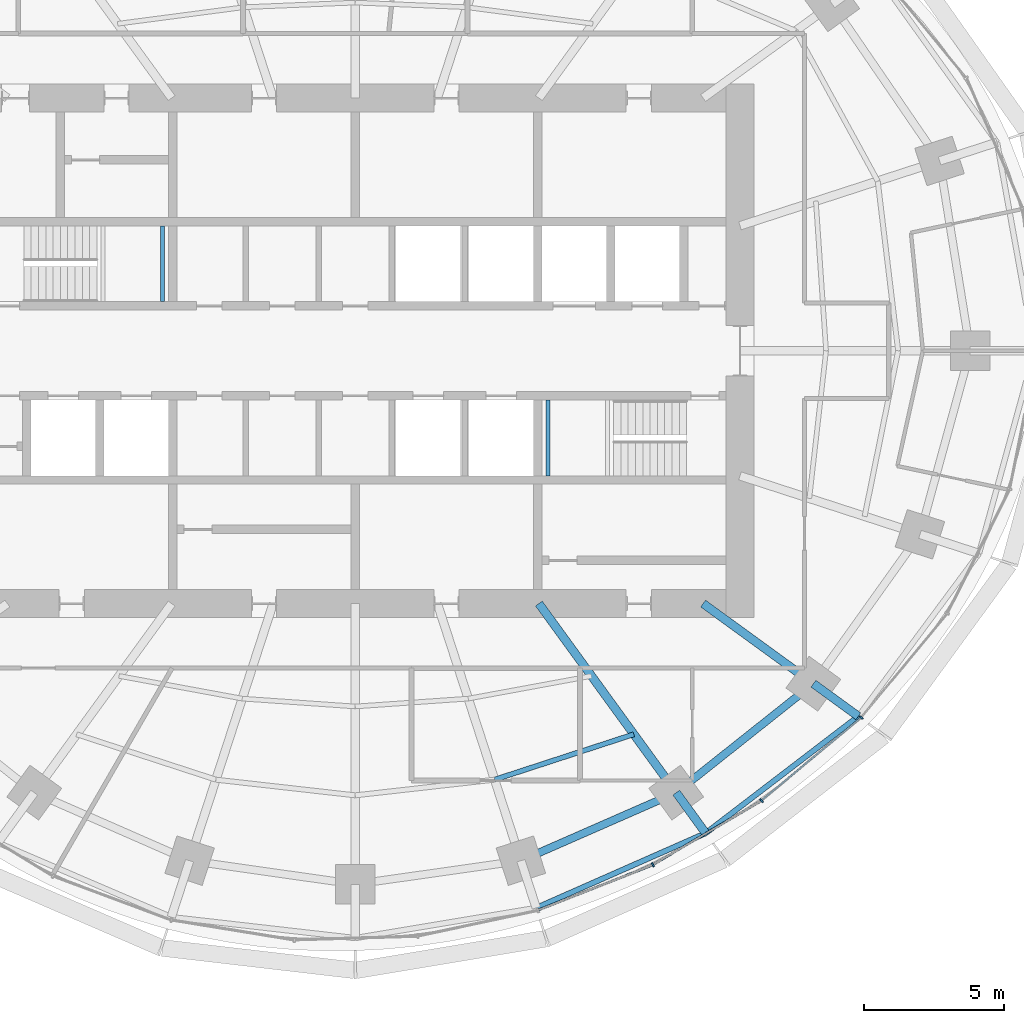
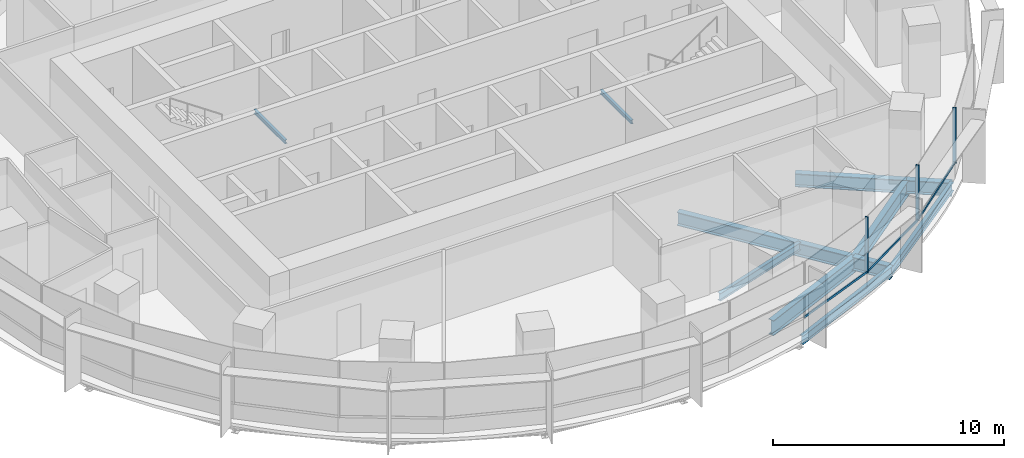
# One storey, part 5 of 14: 11 beams, 6 members, 2 elements without a shape of their own.
"""IFC4 building model written with IfcOpenShell, lengths in metres."""

from ifc_helpers import new_model, si_unit, direction, frame, origin, origin_2d, place, context, subcontext, project, spatial, rectangle, i_section, extrude, material, material_profile, profile_set, type_object, element, aggregate, save


model = new_model("IFC4")

# Units and contexts
model_context = context("Model", 3, precision=1e-05, world=origin(), true_north=direction((0.0, 1.0)))
body_context = subcontext(model_context, "Body", "Model", "MODEL_VIEW")
ifc_project = project(units=[si_unit("LENGTHUNIT", "METRE"), si_unit("AREAUNIT", "SQUARE_METRE"), si_unit("VOLUMEUNIT", "CUBIC_METRE"), si_unit("PLANEANGLEUNIT", "RADIAN"), si_unit("MASSUNIT", "GRAM", prefix="KILO")], contexts=[model_context])

# Site, building, storey
site_placement = place(None, origin())
site = spatial("IfcSite", under=ifc_project, at=site_placement, CompositionType="ELEMENT")
building_placement = place(site_placement, origin())
building = spatial("IfcBuilding", under=site, at=building_placement, Name="Marramba Exchange Tower", CompositionType="ELEMENT")
storey_placement = place(building_placement, frame((0.0, 0.0, 176.0)))
storey = spatial("IfcBuildingStorey", under=building, at=storey_placement, Name="L42", CompositionType="ELEMENT", Elevation=176.0)

# Beams
ifc_material_1 = material(Name="Steel AS/NZS 3679.2 grade 300", Category="steel")
ifc_material_profile_1 = material_profile(ifc_material_1, i_section(OverallWidth=0.300048828125, OverallDepth=0.699951171875, WebThickness=0.010009765625, FlangeThickness=0.031982421875, at=origin_2d()), Name="700WB173")
ifc_profile_set_1 = profile_set([ifc_material_profile_1], Name="Steel AS/NZS 3679.2 grade 300")
beam_type_1 = type_object("IfcBeamType", Name="Cantilever girder 700WB173", PredefinedType="BEAM", material=ifc_profile_set_1)
beam_1_placement = place(storey_placement, frame((11.430419921875, -15.732666015625, -0.510009765625), z_axis=(0.58783009415, -0.808984412959, 0.0), x_axis=(0.808984412959, 0.58783009415, 0.0)))
element("IfcBeam", 1, at=beam_1_placement, inside=storey, type_object=beam_type_1, Name="Cantilever girder L42 TC18", PredefinedType="BEAM", context=body_context, shape_type="SweptSolid", body=[
    extrude(i_section(OverallWidth=0.300048828125, OverallDepth=0.699951171875, WebThickness=0.010009765625, FlangeThickness=0.031982421875, at=origin_2d()), origin(), (0.0, 0.0, 1.0), 1.78515625),
])
beam_2_placement = place(storey_placement, frame((16.3154296875, -11.853759765625, -0.510009765625), z_axis=(0.808970801893, -0.587848825537, 0.0), x_axis=(0.587848825537, 0.808970801893, 0.0)))
element("IfcBeam", 2, at=beam_2_placement, inside=storey, type_object=beam_type_1, Name="Cantilever girder L42 TC19", PredefinedType="BEAM", context=body_context, shape_type="SweptSolid", body=[
    extrude(i_section(OverallWidth=0.300048828125, OverallDepth=0.699951171875, WebThickness=0.010009765625, FlangeThickness=0.031982421875, at=origin_2d()), origin(), (0.0, 0.0, 1.0), 1.978515625),
])
ifc_material_2 = material(Name="Steel AS/NZS 3679.1 grade 300", Category="steel")
ifc_material_profile_2 = material_profile(ifc_material_2, i_section(OverallWidth=0.177978515625, OverallDepth=0.406005859375, WebThickness=0.0078125, FlangeThickness=0.0126953125, FilletRadius=0.011474609375, at=origin_2d()), Name="410UB59.7")
ifc_profile_set_2 = profile_set([ifc_material_profile_2], Name="Steel AS/NZS 3679.1 grade 300")
beam_type_2 = type_object("IfcBeamType", Name="Floor joist 410UB59.7", PredefinedType="JOIST", material=ifc_profile_set_2)
beam_3_placement = place(storey_placement, frame((4.9619140625, -15.271484375, -0.363037109375), z_axis=(0.950764024931, 0.309915744834, 0.0), x_axis=(-0.309915744834, 0.950764024931, 0.0)))
element("IfcBeam", 3, at=beam_3_placement, inside=storey, type_object=beam_type_2, Name="Joist L42 bay 17 row 2", PredefinedType="JOIST", context=body_context, shape_type="SweptSolid", body=[
    extrude(i_section(OverallWidth=0.177978515625, OverallDepth=0.406005859375, WebThickness=0.0078125, FlangeThickness=0.0126953125, FilletRadius=0.011474609375, at=origin_2d()), origin(), (0.0, 0.0, 1.0), 5.2158203125),
])

# Curtain wall, members
ifc_material_3 = material(Name="Aluminium framing, bronze anodised", Category="aluminium")
curtain_wall_type = type_object("IfcCurtainWallType", Name="Office ribbon curtain wall", PredefinedType="USERDEFINED", material=ifc_material_3)
curtain_wall_1_placement = place(storey_placement, origin())
curtain_wall_1 = element("IfcCurtainWall", 4, at=curtain_wall_1_placement, inside=storey, type_object=curtain_wall_type, Name="Curtain wall CW4 L42 F26-F30", ObjectType="RIBBON CURTAIN WALL", PredefinedType="USERDEFINED")
ifc_material_4 = material(Name="Aluminium mullion, bronze anodised", Category="aluminium")
ifc_material_profile_3 = material_profile(ifc_material_4, rectangle(XDim=0.159912109375, YDim=0.06005859375, at=origin_2d()), Name="CW4 mullion 60x160")
ifc_profile_set_3 = profile_set([ifc_material_profile_3], Name="Aluminium mullion, bronze anodised")
member_type_1 = type_object("IfcMemberType", Name="Office ribbon curtain wall mullion", PredefinedType="MULLION", material=ifc_profile_set_3)
member_1_placement = place(storey_placement, frame((10.60009765625, -18.2998046875, 0.800048828125), z_axis=(0.0, 0.0, 1.0), x_axis=(-0.508010571686, 0.861350833897, 0.0)))
member_1 = element("IfcMember", 5, at=member_1_placement, type_object=member_type_1, Name="CW4 mullion 1", PredefinedType="MULLION", context=body_context, shape_type="SweptSolid", body=[
    extrude(rectangle(XDim=0.159912109375, YDim=0.06005859375, at=origin_2d()), origin(), (0.0, 0.0, 1.0), 2.93994140625),
])
member_2_placement = place(storey_placement, frame((14.461669921875, -16.0166015625, 0.800048828125), z_axis=(0.0, 0.0, 1.0), x_axis=(-0.639565270127, 0.768736798421, 0.0)))
member_2 = element("IfcMember", 6, at=member_2_placement, type_object=member_type_1, Name="CW4 mullion 1", PredefinedType="MULLION", context=body_context, shape_type="SweptSolid", body=[
    extrude(rectangle(XDim=0.159912109375, YDim=0.06005859375, at=origin_2d()), origin(), (0.0, 0.0, 1.0), 2.93994140625),
])
member_3_placement = place(storey_placement, frame((18.01611328125, -13.052490234375, 0.800048828125), z_axis=(0.0, 0.0, 1.0), x_axis=(-0.769912069289, 0.63814998673, 0.0)))
member_3 = element("IfcMember", 7, at=member_3_placement, type_object=member_type_1, Name="CW4 mullion 1", PredefinedType="MULLION", context=body_context, shape_type="SweptSolid", body=[
    extrude(rectangle(XDim=0.159912109375, YDim=0.06005859375, at=origin_2d()), origin(), (0.0, 0.0, 1.0), 2.93994140625),
])

# Curtain wall, member
curtain_wall_2_placement = place(storey_placement, origin())
curtain_wall_2 = element("IfcCurtainWall", 8, at=curtain_wall_2_placement, inside=storey, type_object=curtain_wall_type, Name="Curtain wall CW4 L42 F21-F25", ObjectType="RIBBON CURTAIN WALL", PredefinedType="USERDEFINED")
ifc_material_5 = material(Name="Aluminium transom, bronze anodised", Category="aluminium")
ifc_material_profile_4 = material_profile(ifc_material_5, rectangle(XDim=0.06005859375, YDim=0.1201171875, at=origin_2d()), Name="CW4 transom 60x120")
ifc_profile_set_4 = profile_set([ifc_material_profile_4], Name="Aluminium transom, bronze anodised")
member_type_2 = type_object("IfcMemberType", Name="Office ribbon curtain wall transom", PredefinedType="USERDEFINED", material=ifc_profile_set_4)
member_4_placement = place(storey_placement, frame((6.53271484375, -19.911376953125, 0.830078125), z_axis=(0.930068344217, 0.367386547229, 0.0), x_axis=(-0.367386547229, 0.930068344217, 0.0)))
member_4 = element("IfcMember", 9, at=member_4_placement, type_object=member_type_2, Name="CW4 sill transom", ObjectType="TRANSOM", PredefinedType="USERDEFINED", context=body_context, shape_type="SweptSolid", body=[
    extrude(rectangle(XDim=0.06005859375, YDim=0.1201171875, at=origin_2d()), origin(), (0.0, 0.0, 1.0), 4.345458984375),
])
aggregate(curtain_wall_2, [member_4])

# Member
member_5_placement = place(storey_placement, frame((10.6259765625, -18.28466796875, 0.830078125), z_axis=(0.861342387959, 0.508024891816, 0.0), x_axis=(-0.508024891816, 0.861342387959, 0.0)))
member_5 = element("IfcMember", 10, at=member_5_placement, type_object=member_type_2, Name="CW4 sill transom", ObjectType="TRANSOM", PredefinedType="USERDEFINED", context=body_context, shape_type="SweptSolid", body=[
    extrude(rectangle(XDim=0.06005859375, YDim=0.1201171875, at=origin_2d()), origin(), (0.0, 0.0, 1.0), 4.426513671875),
])

member_6_placement = place(storey_placement, frame((14.48486328125, -15.99755859375, 0.830078125), z_axis=(0.768707257272, 0.639600775967, 0.0), x_axis=(-0.639600775967, 0.768707257272, 0.0)))
member_6 = element("IfcMember", 11, at=member_6_placement, type_object=member_type_2, Name="CW4 sill transom", ObjectType="TRANSOM", PredefinedType="USERDEFINED", context=body_context, shape_type="SweptSolid", body=[
    extrude(rectangle(XDim=0.06005859375, YDim=0.1201171875, at=origin_2d()), origin(), (0.0, 0.0, 1.0), 4.568603515625),
])

aggregate(curtain_wall_1, [member_1, member_5, member_2, member_6, member_3])

# Beams
ifc_material_profile_5 = material_profile(ifc_material_1, i_section(OverallWidth=0.300048828125, OverallDepth=0.699951171875, WebThickness=0.010009765625, FlangeThickness=0.031982421875, at=origin_2d()), Name="700WB173")
ifc_profile_set_5 = profile_set([ifc_material_profile_5], Name="Steel AS/NZS 3679.2 grade 300")
beam_type_3 = type_object("IfcBeamType", Name="Radial girder 700WB173", PredefinedType="BEAM", material=ifc_profile_set_5)
beam_4_placement = place(storey_placement, frame((6.538818359375, -9.0, -0.510009765625), z_axis=(0.587787877172, -0.809015087282, 0.0), x_axis=(0.809015087282, 0.587787877172, 0.0)))
element("IfcBeam", 12, at=beam_4_placement, inside=storey, type_object=beam_type_3, Name="Radial girder L42 TC18", PredefinedType="BEAM", context=body_context, shape_type="SweptSolid", body=[
    extrude(i_section(OverallWidth=0.300048828125, OverallDepth=0.699951171875, WebThickness=0.010009765625, FlangeThickness=0.031982421875, at=origin_2d()), origin(), (0.0, 0.0, 1.0), 8.322021484375),
])
beam_5_placement = place(storey_placement, frame((12.387451171875, -9.0, -0.510009765625), z_axis=(0.809025189606, -0.58777397236, 0.0), x_axis=(0.58777397236, 0.809025189606, 0.0)))
element("IfcBeam", 13, at=beam_5_placement, inside=storey, type_object=beam_type_3, Name="Radial girder L42 TC19", PredefinedType="BEAM", context=body_context, shape_type="SweptSolid", body=[
    extrude(i_section(OverallWidth=0.300048828125, OverallDepth=0.699951171875, WebThickness=0.010009765625, FlangeThickness=0.031982421875, at=origin_2d()), origin(), (0.0, 0.0, 1.0), 4.855224609375),
])
ifc_material_profile_6 = material_profile(ifc_material_1, i_section(OverallWidth=0.27490234375, OverallDepth=0.800048828125, WebThickness=0.010009765625, FlangeThickness=0.02490234375, at=origin_2d()), Name="800WB168")
ifc_profile_set_6 = profile_set([ifc_material_profile_6], Name="Steel AS/NZS 3679.2 grade 300")
beam_type_4 = type_object("IfcBeamType", Name="Ring beam 800WB168", PredefinedType="SPANDREL", material=ifc_profile_set_6)
beam_6_placement = place(storey_placement, frame((5.899658203125, -18.156982421875, -0.56005859375), z_axis=(0.915876892158, 0.4014592363, 0.0), x_axis=(-0.4014592363, 0.915876892158, 0.0)))
element("IfcBeam", 14, at=beam_6_placement, inside=storey, type_object=beam_type_4, Name="Ring beam L42 TC17-TC18", PredefinedType="SPANDREL", context=body_context, shape_type="SweptSolid", body=[
    extrude(i_section(OverallWidth=0.27490234375, OverallDepth=0.800048828125, WebThickness=0.010009765625, FlangeThickness=0.02490234375, at=origin_2d()), origin(), (0.0, 0.0, 1.0), 6.038818359375),
])
beam_7_placement = place(storey_placement, frame((11.430419921875, -15.732666015625, -0.56005859375), z_axis=(0.783139438128, 0.621846138887, 0.0), x_axis=(-0.621846138887, 0.783139438128, 0.0)))
element("IfcBeam", 15, at=beam_7_placement, inside=storey, type_object=beam_type_4, Name="Ring beam L42 TC18-TC19", PredefinedType="SPANDREL", context=body_context, shape_type="SweptSolid", body=[
    extrude(i_section(OverallWidth=0.27490234375, OverallDepth=0.800048828125, WebThickness=0.010009765625, FlangeThickness=0.02490234375, at=origin_2d()), origin(), (0.0, 0.0, 1.0), 6.23779296875),
])
ifc_material_profile_7 = material_profile(ifc_material_2, i_section(OverallWidth=0.19091796875, OverallDepth=0.4599609375, WebThickness=0.010009765625, FlangeThickness=0.01611328125, FilletRadius=0.011474609375, at=origin_2d()), Name="460UB82.1")
ifc_profile_set_7 = profile_set([ifc_material_profile_7], Name="Steel AS/NZS 3679.1 grade 300")
beam_type_5 = type_object("IfcBeamType", Name="Slab edge beam 460UB82.1", PredefinedType="SPANDREL", material=ifc_profile_set_7)
beam_8_placement = place(storey_placement, frame((6.44580078125, -19.83837890625, -0.389892578125), z_axis=(0.914940719579, 0.403588255102, 0.0), x_axis=(-0.403588255102, 0.914940719579, 0.0)))
element("IfcBeam", 16, at=beam_8_placement, inside=storey, type_object=beam_type_5, Name="Slab edge beam L42 TC17-TC18", PredefinedType="SPANDREL", context=body_context, shape_type="SweptSolid", body=[
    extrude(i_section(OverallWidth=0.19091796875, OverallDepth=0.4599609375, WebThickness=0.010009765625, FlangeThickness=0.01611328125, FilletRadius=0.011474609375, at=origin_2d()), origin(), (0.0, 0.0, 1.0), 6.594970703125),
])
beam_9_placement = place(storey_placement, frame((12.479736328125, -17.1767578125, -0.389892578125), z_axis=(0.794163423189, 0.607704251481, 0.0), x_axis=(-0.607704251481, 0.794163423189, 0.0)))
element("IfcBeam", 17, at=beam_9_placement, inside=storey, type_object=beam_type_5, Name="Slab edge beam L42 TC18-TC19", PredefinedType="SPANDREL", context=body_context, shape_type="SweptSolid", body=[
    extrude(i_section(OverallWidth=0.19091796875, OverallDepth=0.4599609375, WebThickness=0.010009765625, FlangeThickness=0.01611328125, FilletRadius=0.011474609375, at=origin_2d()), origin(), (0.0, 0.0, 1.0), 6.84521484375),
])
ifc_material_profile_8 = material_profile(ifc_material_2, i_section(OverallWidth=0.133056640625, OverallDepth=0.202880859375, WebThickness=0.005859375, FlangeThickness=0.0078125, FilletRadius=0.0087890625, at=origin_2d()), Name="200UB25.4")
ifc_profile_set_8 = profile_set([ifc_material_profile_8], Name="Steel AS/NZS 3679.1 grade 300")
beam_type_6 = type_object("IfcBeamType", Name="Stair landing beam 200UB25.4", PredefinedType="BEAM", material=ifc_profile_set_8)
for number, where, z_axis, x_axis, name in (
    (18, (-6.866455078125, 1.75, 1.6484375), (0.0, 1.0, 0.0), (-1.0, 0.0, 0.0), "Stair landing beam SLB1 ST1 L42 2"),
    (19, (6.866455078125, -4.449951171875, 1.6484375), (0.0, 1.0, 0.0), (-1.0, 0.0, 0.0), "Stair landing beam SLB1 ST2 L42 1"),
):
    element("IfcBeam", number, at=place(storey_placement, frame(where, z_axis=z_axis, x_axis=x_axis)), inside=storey, type_object=beam_type_6, Name=name, PredefinedType="BEAM", context=body_context, shape_type="SweptSolid", body=[
        extrude(i_section(OverallWidth=0.133056640625, OverallDepth=0.202880859375, WebThickness=0.005859375, FlangeThickness=0.0078125, FilletRadius=0.0087890625, at=origin_2d()), origin(), (0.0, 0.0, 1.0), 2.699951171875),
    ])

save(model, "model.ifc")
